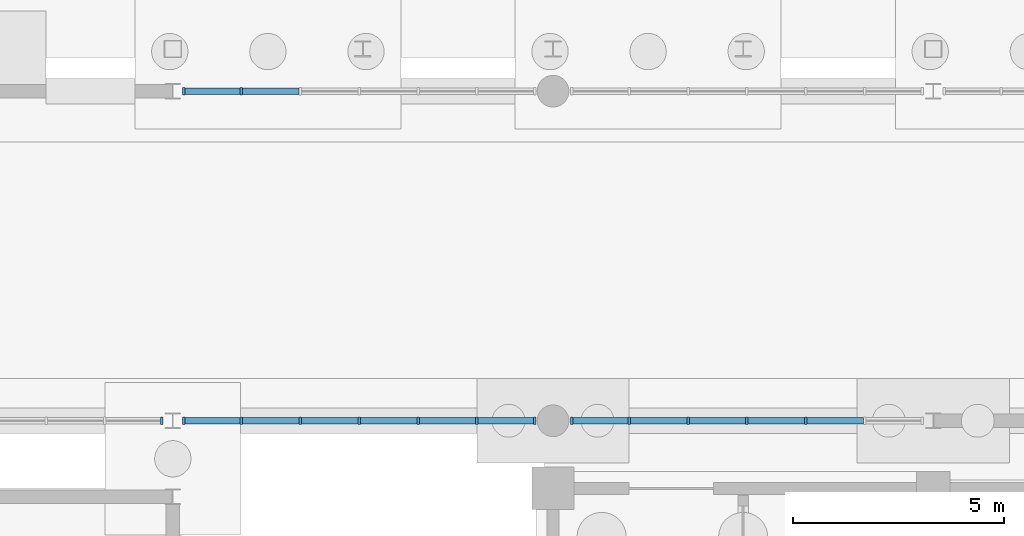
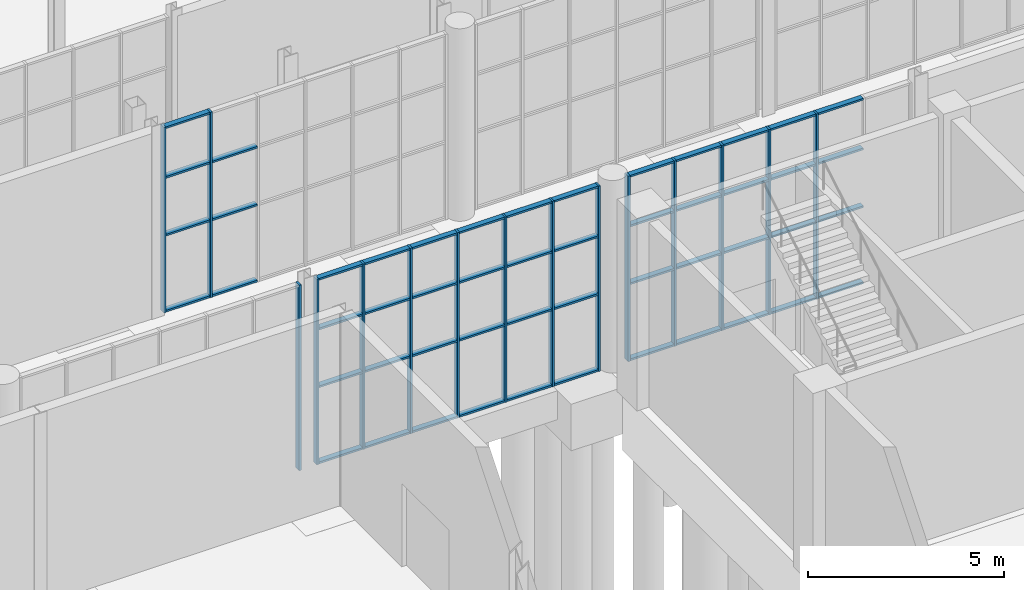
# One storey, part 44 of 131: 66 members, 4 elements without a shape of their own.
"""IFC4 building model written with IfcOpenShell, lengths in metres."""

import ifcopenshell
import ifcopenshell.guid

model = None  # the IFC model being written
_history = None  # IfcOwnerHistory: only IFC2X3 demands one
_inside = {}  # id of a spatial element -> (the spatial element, [elements in it])
_under = {}  # id of a project, library or spatial element -> (it, [spatial elements below it])
_declared = {}  # id of a project -> (the project, [libraries it declares])
_typed = {}  # id of a type object -> (the type object, [elements of that type])
_made_of = {}  # id of a material, layer set ... -> (it, [elements and type objects made of it])


def new_model(schema):
    """Start an empty IFC model of exactly this schema.

    Asked for "IFC4X3", IfcOpenShell would pick the latest addendum, in which some entities
    have other attributes; the version numbers below select the first issue.
    IFC2X3 requires an IfcOwnerHistory on every rooted entity: one is made here for all.
    """
    global model, _history
    if schema == "IFC4X3":
        model = ifcopenshell.file(schema_version=(4, 3, 0, 0))
    else:
        model = ifcopenshell.file(schema=schema)
    _inside.clear()
    _under.clear()
    _declared.clear()
    _typed.clear()
    _made_of.clear()
    _history = None
    if model.schema == "IFC2X3":
        org = make("IfcOrganization", Name="unknown")
        user = make(
            "IfcPersonAndOrganization",
            ThePerson=make("IfcPerson", FamilyName="unknown"),
            TheOrganization=org,
        )
        app = make(
            "IfcApplication",
            ApplicationDeveloper=org,
            Version="unknown",
            ApplicationFullName="unknown",
            ApplicationIdentifier="unknown",
        )
        _history = make(
            "IfcOwnerHistory",
            OwningUser=user,
            OwningApplication=app,
            ChangeAction="ADDED",
            CreationDate=0,
        )
    return model


def make(cls, **values):
    """One entity of the class cls with the attributes given. An attribute that is None is left unset."""
    return model.create_entity(
        cls, **{name: value for name, value in values.items() if value is not None}
    )


def rooted(cls, **values):
    """An entity with a GlobalId (a new one), such as an element, a storey or a relation."""
    return make(cls, GlobalId=ifcopenshell.guid.new(), OwnerHistory=_history, **values)


def si_unit(unit_type, name, prefix=None):
    """IfcSIUnit, for example si_unit("LENGTHUNIT", "METRE", prefix="MILLI")."""
    return make("IfcSIUnit", UnitType=unit_type, Prefix=prefix, Name=name)


def assignment(units):
    """IfcUnitAssignment: the units of a project."""
    return None if units is None else make("IfcUnitAssignment", Units=units)


def point(xyz):
    """IfcCartesianPoint."""
    return None if xyz is None else make("IfcCartesianPoint", Coordinates=xyz)


def direction(xyz):
    """IfcDirection."""
    return None if xyz is None else make("IfcDirection", DirectionRatios=xyz)


def frame(location, z_axis=None, x_axis=None):
    """IfcAxis2Placement3D, a coordinate frame: its origin and axes. An axis left out is left unset."""
    return make(
        "IfcAxis2Placement3D",
        Location=point(location),
        Axis=direction(z_axis),
        RefDirection=direction(x_axis),
    )


def frame_2d(location, x_axis=None):
    """IfcAxis2Placement2D, a coordinate frame in the plane: its origin and x axis."""
    return make(
        "IfcAxis2Placement2D", Location=point(location), RefDirection=direction(x_axis)
    )


def origin():
    """The frame at (0, 0, 0) with its axes left unset."""
    return frame((0.0, 0.0, 0.0))


def origin_2d():
    """The frame at (0, 0) in the plane with its x axis left unset."""
    return frame_2d((0.0, 0.0))


def place(relative_to, where):
    """IfcLocalPlacement: puts the frame where relative to a parent placement (None: the world)."""
    return make(
        "IfcLocalPlacement", PlacementRelTo=relative_to, RelativePlacement=where
    )


def context(
    kind, dimensions, precision=None, world=None, true_north=None, identifier=None
):
    """IfcGeometricRepresentationContext, for example the 3D "Model" context."""
    return make(
        "IfcGeometricRepresentationContext",
        ContextIdentifier=identifier,
        ContextType=kind,
        CoordinateSpaceDimension=dimensions,
        Precision=precision,
        WorldCoordinateSystem=world,
        TrueNorth=true_north,
    )


def subcontext(parent, identifier, kind, view, scale=None):
    """IfcGeometricRepresentationSubContext, for example "Body" below "Model"."""
    return make(
        "IfcGeometricRepresentationSubContext",
        ContextIdentifier=identifier,
        ContextType=kind,
        ParentContext=parent,
        TargetScale=scale,
        TargetView=view,
    )


def project(units=None, contexts=None):
    """IfcProject with its units and contexts."""
    return rooted(
        "IfcProject",
        Name="project",
        RepresentationContexts=contexts,
        UnitsInContext=assignment(units),
    )


def spatial(cls, under=None, at=None, **own):
    """A site, building, storey or space (cls), placed at a placement, below another one or the project."""
    s = rooted(cls, ObjectPlacement=at, **own)
    if under is not None:
        _under.setdefault(under.id(), (under, []))[1].append(s)
    return s


def profile(cls, at=None, kind="AREA", **sizes):
    """A parametric profile (cls). Its sizes go by their IFC names, for example OverallWidth=200.0."""
    return make(cls, ProfileType=kind, Position=at, **sizes)


def rectangle(**sizes):
    """IfcRectangleProfileDef."""
    return profile("IfcRectangleProfileDef", **sizes)


def extrude(swept, where, along, depth):
    """IfcExtrudedAreaSolid: the profile swept, set in the frame where, extruded along a direction by depth."""
    return make(
        "IfcExtrudedAreaSolid",
        SweptArea=swept,
        Position=where,
        ExtrudedDirection=direction(along),
        Depth=depth,
    )


def shape(context_of_items, identifier, shape_type, items):
    """IfcShapeRepresentation: the items that make up one representation, for example the "Body"."""
    return make(
        "IfcShapeRepresentation",
        ContextOfItems=context_of_items,
        RepresentationIdentifier=identifier,
        RepresentationType=shape_type,
        Items=items,
    )


def material(Name=None, Category=None):
    """IfcMaterial."""
    return make("IfcMaterial", Name=Name, Category=Category)


def layer(
    of_material, thickness, ventilated=None, Name=None, Category=None, Priority=None
):
    """IfcMaterialLayer: one layer of a wall or slab, of a material (None: an air gap)."""
    return make(
        "IfcMaterialLayer",
        Material=of_material,
        LayerThickness=thickness,
        IsVentilated=ventilated,
        Name=Name,
        Category=Category,
        Priority=Priority,
    )


def layer_set(layers, Name=None):
    """IfcMaterialLayerSet."""
    return make("IfcMaterialLayerSet", MaterialLayers=layers, LayerSetName=Name)


def material_profile(
    of_material, cross_section, Name=None, Category=None, Priority=None
):
    """IfcMaterialProfile: a cross section and its material."""
    return make(
        "IfcMaterialProfile",
        Name=Name,
        Material=of_material,
        Profile=cross_section,
        Priority=Priority,
        Category=Category,
    )


def profile_set(profiles, Name=None, composite=None):
    """IfcMaterialProfileSet."""
    return make(
        "IfcMaterialProfileSet",
        Name=Name,
        MaterialProfiles=profiles,
        CompositeProfile=composite,
    )


def made_of(thing, what):
    """Note that an element or type object is made of a material, layer set ...; save() writes the relation."""
    if what is not None:
        _made_of.setdefault(what.id(), (what, []))[1].append(thing)
    return thing


def type_object(cls, material=None, **own):
    """A type object (cls), such as IfcWallType, which elements share."""
    return made_of(rooted(cls, **own), material)


def element(
    cls,
    number,
    at=None,
    inside=None,
    cuts=None,
    type_object=None,
    material=None,
    context=None,
    identifier="Body",
    shape_type=None,
    held_by="IfcProductDefinitionShape",
    body=None,
    shapes=None,
    **own,
):
    """One element of the class cls, such as IfcWall. Its Tag is "e" and its number.

    at: its placement. inside: the storey or other place that contains it. cuts: it is an
    opening in that element (IfcRelVoidsElement). A single representation is given by context,
    identifier, shape_type and body (its items); several are given by shapes. held_by: the class
    of the entity that holds the representations. save() writes the other relations.
    """
    e = rooted(cls, Tag="e%d" % number, ObjectPlacement=at, **own)
    if body is not None:
        shapes = [shape(context, identifier, shape_type, body)]
    if shapes is not None:
        e.Representation = make(held_by, Representations=shapes)
    if inside is not None:
        _inside.setdefault(inside.id(), (inside, []))[1].append(e)
    if cuts is not None:
        rooted(
            "IfcRelVoidsElement", RelatingBuildingElement=cuts, RelatedOpeningElement=e
        )
    if type_object is not None:
        _typed.setdefault(type_object.id(), (type_object, []))[1].append(e)
    return made_of(e, material)


def aggregate(whole, parts):
    """IfcRelAggregates: a whole, such as a stair, and the parts it consists of."""
    return rooted("IfcRelAggregates", RelatingObject=whole, RelatedObjects=parts)


def save(model, path):
    """Write the relations noted so far, then the file.

    IfcRelAggregates (storeys below a building ...), IfcRelContainedInSpatialStructure (elements
    in a storey), IfcRelDefinesByType, IfcRelAssociatesMaterial and IfcRelDeclares: one each for
    every whole, place, type object, material and project.
    """
    for whole, parts in _under.values():
        aggregate(whole, parts)
    for where, things in _inside.values():
        rooted(
            "IfcRelContainedInSpatialStructure",
            RelatedElements=things,
            RelatingStructure=where,
        )
    for kind, things in _typed.values():
        rooted("IfcRelDefinesByType", RelatedObjects=things, RelatingType=kind)
    for what, things in _made_of.values():
        rooted("IfcRelAssociatesMaterial", RelatedObjects=things, RelatingMaterial=what)
    for by, libraries in _declared.values():
        rooted("IfcRelDeclares", RelatingContext=by, RelatedDefinitions=libraries)
    model.write(path)


model = new_model("IFC4")

# Units and contexts
model_context = context("Model", 3, precision=1e-05, world=origin(), true_north=direction((0.0, 1.0)))
body_context = subcontext(model_context, "Body", "Model", "MODEL_VIEW")
ifc_project = project(units=[si_unit("LENGTHUNIT", "METRE"), si_unit("AREAUNIT", "SQUARE_METRE"), si_unit("VOLUMEUNIT", "CUBIC_METRE"), si_unit("PLANEANGLEUNIT", "RADIAN"), si_unit("MASSUNIT", "GRAM", prefix="KILO")], contexts=[model_context])

# Site, building, storey
site_placement = place(None, origin())
site = spatial("IfcSite", under=ifc_project, at=site_placement, CompositionType="ELEMENT")
building_placement = place(site_placement, origin())
building = spatial("IfcBuilding", under=site, at=building_placement, Name="Cazmaro Siding Exhibition Halls", CompositionType="ELEMENT")
storey_placement = place(building_placement, origin())
storey = spatial("IfcBuildingStorey", under=building, at=storey_placement, Name="L00", CompositionType="ELEMENT", Elevation=0.0)

# Curtain wall, member
ifc_material_1 = material(Name="Anodized Bronze Aluminum and Solar-Control Low-E Glazing", Category="aluminium")
ifc_layer = layer(ifc_material_1, 0.179931640625)
ifc_layer_set = layer_set([ifc_layer], Name="Anodized Bronze Aluminum and Solar-Control Low-E Glazing")
curtain_wall_type = type_object("IfcCurtainWallType", Name="CWS-01", PredefinedType="USERDEFINED", material=ifc_layer_set)
curtain_wall_1_placement = place(storey_placement, origin())
curtain_wall_1 = element("IfcCurtainWall", 1, at=curtain_wall_1_placement, inside=storey, type_object=curtain_wall_type, Name="Glazed Curtain Wall CWS-01 CW-150", ObjectType="GLAZED CURTAIN WALL", PredefinedType="USERDEFINED")
ifc_material_2 = material(Name="Anodized Bronze Extruded Aluminum", Category="aluminium")
ifc_material_profile_1 = material_profile(ifc_material_2, rectangle(XDim=0.179931640625, YDim=0.06005859375, at=origin_2d()), Name="CWM-01")
ifc_profile_set_1 = profile_set([ifc_material_profile_1], Name="Anodized Bronze Extruded Aluminum")
member_type_1 = type_object("IfcMemberType", Name="CWM-01", PredefinedType="MULLION", material=ifc_profile_set_1)
member_1_placement = place(storey_placement, frame((62.739990234375, 55.199951171875, 0.0), z_axis=(0.0, 0.0, 1.0), x_axis=(0.0, 1.0, 0.0)))
member_1 = element("IfcMember", 2, at=member_1_placement, type_object=member_type_1, Name="CWS-01 mullion 7", PredefinedType="MULLION", context=body_context, shape_type="SweptSolid", body=[
    extrude(rectangle(XDim=0.179931640625, YDim=0.06005859375, at=origin_2d()), origin(), (0.0, 0.0, 1.0), 5.780029296875),
])
aggregate(curtain_wall_1, [member_1])

# Curtain wall, members
curtain_wall_2_placement = place(storey_placement, origin())
curtain_wall_2 = element("IfcCurtainWall", 3, at=curtain_wall_2_placement, inside=storey, type_object=curtain_wall_type, Name="Glazed Curtain Wall CWS-01 CW-155", ObjectType="GLAZED CURTAIN WALL", PredefinedType="USERDEFINED")
member_2_placement = place(storey_placement, frame((63.260009765625, 55.199951171875, 0.0), z_axis=(0.0, 0.0, 1.0), x_axis=(0.0, 1.0, 0.0)))
member_2 = element("IfcMember", 4, at=member_2_placement, type_object=member_type_1, Name="CWS-01 mullion 1", PredefinedType="MULLION", context=body_context, shape_type="SweptSolid", body=[
    extrude(rectangle(XDim=0.179931640625, YDim=0.06005859375, at=origin_2d()), origin(), (0.0, 0.0, 1.0), 5.780029296875),
])
member_3_placement = place(storey_placement, frame((64.623779296875, 55.199951171875, 0.0), z_axis=(0.0, 0.0, 1.0), x_axis=(0.0, 1.0, 0.0)))
member_3 = element("IfcMember", 5, at=member_3_placement, type_object=member_type_1, Name="CWS-01 mullion 2", PredefinedType="MULLION", context=body_context, shape_type="SweptSolid", body=[
    extrude(rectangle(XDim=0.179931640625, YDim=0.06005859375, at=origin_2d()), origin(), (0.0, 0.0, 1.0), 5.780029296875),
])
member_4_placement = place(storey_placement, frame((66.017333984375, 55.199951171875, 0.0), z_axis=(0.0, 0.0, 1.0), x_axis=(0.0, 1.0, 0.0)))
member_4 = element("IfcMember", 6, at=member_4_placement, type_object=member_type_1, Name="CWS-01 mullion 3", PredefinedType="MULLION", context=body_context, shape_type="SweptSolid", body=[
    extrude(rectangle(XDim=0.179931640625, YDim=0.06005859375, at=origin_2d()), origin(), (0.0, 0.0, 1.0), 5.780029296875),
])
member_5_placement = place(storey_placement, frame((67.410888671875, 55.199951171875, 0.0), z_axis=(0.0, 0.0, 1.0), x_axis=(0.0, 1.0, 0.0)))
member_5 = element("IfcMember", 7, at=member_5_placement, type_object=member_type_1, Name="CWS-01 mullion 4", PredefinedType="MULLION", context=body_context, shape_type="SweptSolid", body=[
    extrude(rectangle(XDim=0.179931640625, YDim=0.06005859375, at=origin_2d()), origin(), (0.0, 0.0, 1.0), 5.780029296875),
])
member_6_placement = place(storey_placement, frame((68.8046875, 55.199951171875, 0.0), z_axis=(0.0, 0.0, 1.0), x_axis=(0.0, 1.0, 0.0)))
member_6 = element("IfcMember", 8, at=member_6_placement, type_object=member_type_1, Name="CWS-01 mullion 5", PredefinedType="MULLION", context=body_context, shape_type="SweptSolid", body=[
    extrude(rectangle(XDim=0.179931640625, YDim=0.06005859375, at=origin_2d()), origin(), (0.0, 0.0, 1.0), 5.780029296875),
])
member_7_placement = place(storey_placement, frame((70.1982421875, 55.199951171875, 0.0), z_axis=(0.0, 0.0, 1.0), x_axis=(0.0, 1.0, 0.0)))
member_7 = element("IfcMember", 9, at=member_7_placement, type_object=member_type_1, Name="CWS-01 mullion 6", PredefinedType="MULLION", context=body_context, shape_type="SweptSolid", body=[
    extrude(rectangle(XDim=0.179931640625, YDim=0.06005859375, at=origin_2d()), origin(), (0.0, 0.0, 1.0), 5.780029296875),
])
member_8_placement = place(storey_placement, frame((71.56201171875, 55.199951171875, 0.0), z_axis=(0.0, 0.0, 1.0), x_axis=(0.0, 1.0, 0.0)))
member_8 = element("IfcMember", 10, at=member_8_placement, type_object=member_type_1, Name="CWS-01 mullion 7", PredefinedType="MULLION", context=body_context, shape_type="SweptSolid", body=[
    extrude(rectangle(XDim=0.179931640625, YDim=0.06005859375, at=origin_2d()), origin(), (0.0, 0.0, 1.0), 5.780029296875),
])

curtain_wall_3_placement = place(storey_placement, origin())
curtain_wall_3 = element("IfcCurtainWall", 11, at=curtain_wall_3_placement, inside=storey, type_object=curtain_wall_type, Name="Glazed Curtain Wall CWS-01 CW-156", ObjectType="GLAZED CURTAIN WALL", PredefinedType="USERDEFINED")
member_9_placement = place(storey_placement, frame((64.623779296875, 63.0, 0.0), z_axis=(0.0, 0.0, 1.0), x_axis=(0.0, -1.0, 0.0)))
member_9 = element("IfcMember", 12, at=member_9_placement, type_object=member_type_1, Name="CWS-01 mullion 6", PredefinedType="MULLION", context=body_context, shape_type="SweptSolid", body=[
    extrude(rectangle(XDim=0.179931640625, YDim=0.06005859375, at=origin_2d()), origin(), (0.0, 0.0, 1.0), 5.780029296875),
])
member_10_placement = place(storey_placement, frame((63.260009765625, 63.0, 0.0), z_axis=(0.0, 0.0, 1.0), x_axis=(0.0, -1.0, 0.0)))
member_10 = element("IfcMember", 13, at=member_10_placement, type_object=member_type_1, Name="CWS-01 mullion 7", PredefinedType="MULLION", context=body_context, shape_type="SweptSolid", body=[
    extrude(rectangle(XDim=0.179931640625, YDim=0.06005859375, at=origin_2d()), origin(), (0.0, 0.0, 1.0), 5.780029296875),
])

curtain_wall_4_placement = place(storey_placement, origin())
curtain_wall_4 = element("IfcCurtainWall", 14, at=curtain_wall_4_placement, inside=storey, type_object=curtain_wall_type, Name="Glazed Curtain Wall CWS-01 CW-161", ObjectType="GLAZED CURTAIN WALL", PredefinedType="USERDEFINED")
member_11_placement = place(storey_placement, frame((72.43798828125, 55.199951171875, 0.0), z_axis=(0.0, 0.0, 1.0), x_axis=(0.0, 1.0, 0.0)))
member_11 = element("IfcMember", 15, at=member_11_placement, type_object=member_type_1, Name="CWS-01 mullion 1", PredefinedType="MULLION", context=body_context, shape_type="SweptSolid", body=[
    extrude(rectangle(XDim=0.179931640625, YDim=0.06005859375, at=origin_2d()), origin(), (0.0, 0.0, 1.0), 5.780029296875),
])
member_12_placement = place(storey_placement, frame((73.8017578125, 55.199951171875, 0.0), z_axis=(0.0, 0.0, 1.0), x_axis=(0.0, 1.0, 0.0)))
member_12 = element("IfcMember", 16, at=member_12_placement, type_object=member_type_1, Name="CWS-01 mullion 2", PredefinedType="MULLION", context=body_context, shape_type="SweptSolid", body=[
    extrude(rectangle(XDim=0.179931640625, YDim=0.06005859375, at=origin_2d()), origin(), (0.0, 0.0, 1.0), 5.780029296875),
])
member_13_placement = place(storey_placement, frame((75.1953125, 55.199951171875, 0.0), z_axis=(0.0, 0.0, 1.0), x_axis=(0.0, 1.0, 0.0)))
member_13 = element("IfcMember", 17, at=member_13_placement, type_object=member_type_1, Name="CWS-01 mullion 3", PredefinedType="MULLION", context=body_context, shape_type="SweptSolid", body=[
    extrude(rectangle(XDim=0.179931640625, YDim=0.06005859375, at=origin_2d()), origin(), (0.0, 0.0, 1.0), 5.780029296875),
])
member_14_placement = place(storey_placement, frame((76.589111328125, 55.199951171875, 0.0), z_axis=(0.0, 0.0, 1.0), x_axis=(0.0, 1.0, 0.0)))
member_14 = element("IfcMember", 18, at=member_14_placement, type_object=member_type_1, Name="CWS-01 mullion 4", PredefinedType="MULLION", context=body_context, shape_type="SweptSolid", body=[
    extrude(rectangle(XDim=0.179931640625, YDim=0.06005859375, at=origin_2d()), origin(), (0.0, 0.0, 1.0), 5.780029296875),
])
member_15_placement = place(storey_placement, frame((77.982666015625, 55.199951171875, 0.0), z_axis=(0.0, 0.0, 1.0), x_axis=(0.0, 1.0, 0.0)))
member_15 = element("IfcMember", 19, at=member_15_placement, type_object=member_type_1, Name="CWS-01 mullion 5", PredefinedType="MULLION", context=body_context, shape_type="SweptSolid", body=[
    extrude(rectangle(XDim=0.179931640625, YDim=0.06005859375, at=origin_2d()), origin(), (0.0, 0.0, 1.0), 5.780029296875),
])

# Member
ifc_material_3 = material(Name="Anodized Bronze Extruded Aluminum", Category="aluminium")
ifc_material_profile_2 = material_profile(ifc_material_3, rectangle(XDim=0.159912109375, YDim=0.06005859375, at=origin_2d()), Name="CWT-01")
ifc_profile_set_2 = profile_set([ifc_material_profile_2], Name="Anodized Bronze Extruded Aluminum")
member_type_2 = type_object("IfcMemberType", Name="CWT-01", PredefinedType="MULLION", material=ifc_profile_set_2)
member_16_placement = place(storey_placement, frame((63.2900390625, 55.199951171875, 0.030029296875), z_axis=(1.0, 0.0, 0.0), x_axis=(0.0, 1.0, 0.0)))
member_16 = element("IfcMember", 20, at=member_16_placement, type_object=member_type_2, Name="CWS-01 transom 1.1", ObjectType="TRANSOM", PredefinedType="USERDEFINED", context=body_context, shape_type="SweptSolid", body=[
    extrude(rectangle(XDim=0.159912109375, YDim=0.06005859375, at=origin_2d()), origin(), (0.0, 0.0, 1.0), 1.3037109375),
])

member_17_placement = place(storey_placement, frame((63.2900390625, 55.199951171875, 2.39990234375), z_axis=(1.0, 0.0, 0.0), x_axis=(0.0, 1.0, 0.0)))
member_17 = element("IfcMember", 21, at=member_17_placement, type_object=member_type_2, Name="CWS-01 transom 1.2", ObjectType="TRANSOM", PredefinedType="USERDEFINED", context=body_context, shape_type="SweptSolid", body=[
    extrude(rectangle(XDim=0.159912109375, YDim=0.06005859375, at=origin_2d()), origin(), (0.0, 0.0, 1.0), 1.3037109375),
])

member_18_placement = place(storey_placement, frame((63.2900390625, 55.199951171875, 4.199951171875), z_axis=(1.0, 0.0, 0.0), x_axis=(0.0, 1.0, 0.0)))
member_18 = element("IfcMember", 22, at=member_18_placement, type_object=member_type_2, Name="CWS-01 transom 1.3", ObjectType="TRANSOM", PredefinedType="USERDEFINED", context=body_context, shape_type="SweptSolid", body=[
    extrude(rectangle(XDim=0.159912109375, YDim=0.06005859375, at=origin_2d()), origin(), (0.0, 0.0, 1.0), 1.3037109375),
])

member_19_placement = place(storey_placement, frame((63.2900390625, 55.199951171875, 5.75), z_axis=(1.0, 0.0, 0.0), x_axis=(0.0, 1.0, 0.0)))
member_19 = element("IfcMember", 23, at=member_19_placement, type_object=member_type_2, Name="CWS-01 transom 1.4", ObjectType="TRANSOM", PredefinedType="USERDEFINED", context=body_context, shape_type="SweptSolid", body=[
    extrude(rectangle(XDim=0.159912109375, YDim=0.06005859375, at=origin_2d()), origin(), (0.0, 0.0, 1.0), 1.3037109375),
])

member_20_placement = place(storey_placement, frame((64.653564453125, 55.199951171875, 0.030029296875), z_axis=(1.0, 0.0, 0.0), x_axis=(0.0, 1.0, 0.0)))
member_20 = element("IfcMember", 24, at=member_20_placement, type_object=member_type_2, Name="CWS-01 transom 2.1", ObjectType="TRANSOM", PredefinedType="USERDEFINED", context=body_context, shape_type="SweptSolid", body=[
    extrude(rectangle(XDim=0.159912109375, YDim=0.06005859375, at=origin_2d()), origin(), (0.0, 0.0, 1.0), 1.333740234375),
])

member_21_placement = place(storey_placement, frame((64.653564453125, 55.199951171875, 2.39990234375), z_axis=(1.0, 0.0, 0.0), x_axis=(0.0, 1.0, 0.0)))
member_21 = element("IfcMember", 25, at=member_21_placement, type_object=member_type_2, Name="CWS-01 transom 2.2", ObjectType="TRANSOM", PredefinedType="USERDEFINED", context=body_context, shape_type="SweptSolid", body=[
    extrude(rectangle(XDim=0.159912109375, YDim=0.06005859375, at=origin_2d()), origin(), (0.0, 0.0, 1.0), 1.333740234375),
])

member_22_placement = place(storey_placement, frame((64.653564453125, 55.199951171875, 4.199951171875), z_axis=(1.0, 0.0, 0.0), x_axis=(0.0, 1.0, 0.0)))
member_22 = element("IfcMember", 26, at=member_22_placement, type_object=member_type_2, Name="CWS-01 transom 2.3", ObjectType="TRANSOM", PredefinedType="USERDEFINED", context=body_context, shape_type="SweptSolid", body=[
    extrude(rectangle(XDim=0.159912109375, YDim=0.06005859375, at=origin_2d()), origin(), (0.0, 0.0, 1.0), 1.333740234375),
])

member_23_placement = place(storey_placement, frame((64.653564453125, 55.199951171875, 5.75), z_axis=(1.0, 0.0, 0.0), x_axis=(0.0, 1.0, 0.0)))
member_23 = element("IfcMember", 27, at=member_23_placement, type_object=member_type_2, Name="CWS-01 transom 2.4", ObjectType="TRANSOM", PredefinedType="USERDEFINED", context=body_context, shape_type="SweptSolid", body=[
    extrude(rectangle(XDim=0.159912109375, YDim=0.06005859375, at=origin_2d()), origin(), (0.0, 0.0, 1.0), 1.333740234375),
])

member_24_placement = place(storey_placement, frame((66.04736328125, 55.199951171875, 0.030029296875), z_axis=(1.0, 0.0, 0.0), x_axis=(0.0, 1.0, 0.0)))
member_24 = element("IfcMember", 28, at=member_24_placement, type_object=member_type_2, Name="CWS-01 transom 3.1", ObjectType="TRANSOM", PredefinedType="USERDEFINED", context=body_context, shape_type="SweptSolid", body=[
    extrude(rectangle(XDim=0.159912109375, YDim=0.06005859375, at=origin_2d()), origin(), (0.0, 0.0, 1.0), 1.333740234375),
])

member_25_placement = place(storey_placement, frame((66.04736328125, 55.199951171875, 2.39990234375), z_axis=(1.0, 0.0, 0.0), x_axis=(0.0, 1.0, 0.0)))
member_25 = element("IfcMember", 29, at=member_25_placement, type_object=member_type_2, Name="CWS-01 transom 3.2", ObjectType="TRANSOM", PredefinedType="USERDEFINED", context=body_context, shape_type="SweptSolid", body=[
    extrude(rectangle(XDim=0.159912109375, YDim=0.06005859375, at=origin_2d()), origin(), (0.0, 0.0, 1.0), 1.333740234375),
])

member_26_placement = place(storey_placement, frame((66.04736328125, 55.199951171875, 4.199951171875), z_axis=(1.0, 0.0, 0.0), x_axis=(0.0, 1.0, 0.0)))
member_26 = element("IfcMember", 30, at=member_26_placement, type_object=member_type_2, Name="CWS-01 transom 3.3", ObjectType="TRANSOM", PredefinedType="USERDEFINED", context=body_context, shape_type="SweptSolid", body=[
    extrude(rectangle(XDim=0.159912109375, YDim=0.06005859375, at=origin_2d()), origin(), (0.0, 0.0, 1.0), 1.333740234375),
])

member_27_placement = place(storey_placement, frame((66.04736328125, 55.199951171875, 5.75), z_axis=(1.0, 0.0, 0.0), x_axis=(0.0, 1.0, 0.0)))
member_27 = element("IfcMember", 31, at=member_27_placement, type_object=member_type_2, Name="CWS-01 transom 3.4", ObjectType="TRANSOM", PredefinedType="USERDEFINED", context=body_context, shape_type="SweptSolid", body=[
    extrude(rectangle(XDim=0.159912109375, YDim=0.06005859375, at=origin_2d()), origin(), (0.0, 0.0, 1.0), 1.333740234375),
])

member_28_placement = place(storey_placement, frame((67.44091796875, 55.199951171875, 0.030029296875), z_axis=(1.0, 0.0, 0.0), x_axis=(0.0, 1.0, 0.0)))
member_28 = element("IfcMember", 32, at=member_28_placement, type_object=member_type_2, Name="CWS-01 transom 4.1", ObjectType="TRANSOM", PredefinedType="USERDEFINED", context=body_context, shape_type="SweptSolid", body=[
    extrude(rectangle(XDim=0.159912109375, YDim=0.06005859375, at=origin_2d()), origin(), (0.0, 0.0, 1.0), 1.333740234375),
])

member_29_placement = place(storey_placement, frame((67.44091796875, 55.199951171875, 2.39990234375), z_axis=(1.0, 0.0, 0.0), x_axis=(0.0, 1.0, 0.0)))
member_29 = element("IfcMember", 33, at=member_29_placement, type_object=member_type_2, Name="CWS-01 transom 4.2", ObjectType="TRANSOM", PredefinedType="USERDEFINED", context=body_context, shape_type="SweptSolid", body=[
    extrude(rectangle(XDim=0.159912109375, YDim=0.06005859375, at=origin_2d()), origin(), (0.0, 0.0, 1.0), 1.333740234375),
])

member_30_placement = place(storey_placement, frame((67.44091796875, 55.199951171875, 4.199951171875), z_axis=(1.0, 0.0, 0.0), x_axis=(0.0, 1.0, 0.0)))
member_30 = element("IfcMember", 34, at=member_30_placement, type_object=member_type_2, Name="CWS-01 transom 4.3", ObjectType="TRANSOM", PredefinedType="USERDEFINED", context=body_context, shape_type="SweptSolid", body=[
    extrude(rectangle(XDim=0.159912109375, YDim=0.06005859375, at=origin_2d()), origin(), (0.0, 0.0, 1.0), 1.333740234375),
])

member_31_placement = place(storey_placement, frame((67.44091796875, 55.199951171875, 5.75), z_axis=(1.0, 0.0, 0.0), x_axis=(0.0, 1.0, 0.0)))
member_31 = element("IfcMember", 35, at=member_31_placement, type_object=member_type_2, Name="CWS-01 transom 4.4", ObjectType="TRANSOM", PredefinedType="USERDEFINED", context=body_context, shape_type="SweptSolid", body=[
    extrude(rectangle(XDim=0.159912109375, YDim=0.06005859375, at=origin_2d()), origin(), (0.0, 0.0, 1.0), 1.333740234375),
])

member_32_placement = place(storey_placement, frame((68.834716796875, 55.199951171875, 0.030029296875), z_axis=(1.0, 0.0, 0.0), x_axis=(0.0, 1.0, 0.0)))
member_32 = element("IfcMember", 36, at=member_32_placement, type_object=member_type_2, Name="CWS-01 transom 5.1", ObjectType="TRANSOM", PredefinedType="USERDEFINED", context=body_context, shape_type="SweptSolid", body=[
    extrude(rectangle(XDim=0.159912109375, YDim=0.06005859375, at=origin_2d()), origin(), (0.0, 0.0, 1.0), 1.33349609375),
])

member_33_placement = place(storey_placement, frame((68.834716796875, 55.199951171875, 2.39990234375), z_axis=(1.0, 0.0, 0.0), x_axis=(0.0, 1.0, 0.0)))
member_33 = element("IfcMember", 37, at=member_33_placement, type_object=member_type_2, Name="CWS-01 transom 5.2", ObjectType="TRANSOM", PredefinedType="USERDEFINED", context=body_context, shape_type="SweptSolid", body=[
    extrude(rectangle(XDim=0.159912109375, YDim=0.06005859375, at=origin_2d()), origin(), (0.0, 0.0, 1.0), 1.33349609375),
])

member_34_placement = place(storey_placement, frame((68.834716796875, 55.199951171875, 4.199951171875), z_axis=(1.0, 0.0, 0.0), x_axis=(0.0, 1.0, 0.0)))
member_34 = element("IfcMember", 38, at=member_34_placement, type_object=member_type_2, Name="CWS-01 transom 5.3", ObjectType="TRANSOM", PredefinedType="USERDEFINED", context=body_context, shape_type="SweptSolid", body=[
    extrude(rectangle(XDim=0.159912109375, YDim=0.06005859375, at=origin_2d()), origin(), (0.0, 0.0, 1.0), 1.33349609375),
])

member_35_placement = place(storey_placement, frame((68.834716796875, 55.199951171875, 5.75), z_axis=(1.0, 0.0, 0.0), x_axis=(0.0, 1.0, 0.0)))
member_35 = element("IfcMember", 39, at=member_35_placement, type_object=member_type_2, Name="CWS-01 transom 5.4", ObjectType="TRANSOM", PredefinedType="USERDEFINED", context=body_context, shape_type="SweptSolid", body=[
    extrude(rectangle(XDim=0.159912109375, YDim=0.06005859375, at=origin_2d()), origin(), (0.0, 0.0, 1.0), 1.33349609375),
])

member_36_placement = place(storey_placement, frame((70.228271484375, 55.199951171875, 0.030029296875), z_axis=(1.0, 0.0, 0.0), x_axis=(0.0, 1.0, 0.0)))
member_36 = element("IfcMember", 40, at=member_36_placement, type_object=member_type_2, Name="CWS-01 transom 6.1", ObjectType="TRANSOM", PredefinedType="USERDEFINED", context=body_context, shape_type="SweptSolid", body=[
    extrude(rectangle(XDim=0.159912109375, YDim=0.06005859375, at=origin_2d()), origin(), (0.0, 0.0, 1.0), 1.3037109375),
])

member_37_placement = place(storey_placement, frame((70.228271484375, 55.199951171875, 2.39990234375), z_axis=(1.0, 0.0, 0.0), x_axis=(0.0, 1.0, 0.0)))
member_37 = element("IfcMember", 41, at=member_37_placement, type_object=member_type_2, Name="CWS-01 transom 6.2", ObjectType="TRANSOM", PredefinedType="USERDEFINED", context=body_context, shape_type="SweptSolid", body=[
    extrude(rectangle(XDim=0.159912109375, YDim=0.06005859375, at=origin_2d()), origin(), (0.0, 0.0, 1.0), 1.3037109375),
])

member_38_placement = place(storey_placement, frame((70.228271484375, 55.199951171875, 4.199951171875), z_axis=(1.0, 0.0, 0.0), x_axis=(0.0, 1.0, 0.0)))
member_38 = element("IfcMember", 42, at=member_38_placement, type_object=member_type_2, Name="CWS-01 transom 6.3", ObjectType="TRANSOM", PredefinedType="USERDEFINED", context=body_context, shape_type="SweptSolid", body=[
    extrude(rectangle(XDim=0.159912109375, YDim=0.06005859375, at=origin_2d()), origin(), (0.0, 0.0, 1.0), 1.3037109375),
])

member_39_placement = place(storey_placement, frame((70.228271484375, 55.199951171875, 5.75), z_axis=(1.0, 0.0, 0.0), x_axis=(0.0, 1.0, 0.0)))
member_39 = element("IfcMember", 43, at=member_39_placement, type_object=member_type_2, Name="CWS-01 transom 6.4", ObjectType="TRANSOM", PredefinedType="USERDEFINED", context=body_context, shape_type="SweptSolid", body=[
    extrude(rectangle(XDim=0.159912109375, YDim=0.06005859375, at=origin_2d()), origin(), (0.0, 0.0, 1.0), 1.3037109375),
])

aggregate(curtain_wall_2, [member_2, member_3, member_4, member_5, member_6, member_7, member_8, member_16, member_17, member_18, member_19, member_20, member_21, member_22, member_23, member_24, member_25, member_26, member_27, member_28, member_29, member_30, member_31, member_32, member_33, member_34, member_35, member_36, member_37, member_38, member_39])

member_40_placement = place(storey_placement, frame((65.9873046875, 63.0, 0.030029296875), z_axis=(-1.0, 0.0, 0.0), x_axis=(0.0, -1.0, 0.0)))
member_40 = element("IfcMember", 44, at=member_40_placement, type_object=member_type_2, Name="CWS-01 transom 5.1", ObjectType="TRANSOM", PredefinedType="USERDEFINED", context=body_context, shape_type="SweptSolid", body=[
    extrude(rectangle(XDim=0.159912109375, YDim=0.06005859375, at=origin_2d()), origin(), (0.0, 0.0, 1.0), 1.333740234375),
])

member_41_placement = place(storey_placement, frame((65.9873046875, 63.0, 2.39990234375), z_axis=(-1.0, 0.0, 0.0), x_axis=(0.0, -1.0, 0.0)))
member_41 = element("IfcMember", 45, at=member_41_placement, type_object=member_type_2, Name="CWS-01 transom 5.2", ObjectType="TRANSOM", PredefinedType="USERDEFINED", context=body_context, shape_type="SweptSolid", body=[
    extrude(rectangle(XDim=0.159912109375, YDim=0.06005859375, at=origin_2d()), origin(), (0.0, 0.0, 1.0), 1.333740234375),
])

member_42_placement = place(storey_placement, frame((65.9873046875, 63.0, 4.199951171875), z_axis=(-1.0, 0.0, 0.0), x_axis=(0.0, -1.0, 0.0)))
member_42 = element("IfcMember", 46, at=member_42_placement, type_object=member_type_2, Name="CWS-01 transom 5.3", ObjectType="TRANSOM", PredefinedType="USERDEFINED", context=body_context, shape_type="SweptSolid", body=[
    extrude(rectangle(XDim=0.159912109375, YDim=0.06005859375, at=origin_2d()), origin(), (0.0, 0.0, 1.0), 1.333740234375),
])

member_43_placement = place(storey_placement, frame((64.59375, 63.0, 0.030029296875), z_axis=(-1.0, 0.0, 0.0), x_axis=(0.0, -1.0, 0.0)))
member_43 = element("IfcMember", 47, at=member_43_placement, type_object=member_type_2, Name="CWS-01 transom 6.1", ObjectType="TRANSOM", PredefinedType="USERDEFINED", context=body_context, shape_type="SweptSolid", body=[
    extrude(rectangle(XDim=0.159912109375, YDim=0.06005859375, at=origin_2d()), origin(), (0.0, 0.0, 1.0), 1.3037109375),
])

member_44_placement = place(storey_placement, frame((64.59375, 63.0, 2.39990234375), z_axis=(-1.0, 0.0, 0.0), x_axis=(0.0, -1.0, 0.0)))
member_44 = element("IfcMember", 48, at=member_44_placement, type_object=member_type_2, Name="CWS-01 transom 6.2", ObjectType="TRANSOM", PredefinedType="USERDEFINED", context=body_context, shape_type="SweptSolid", body=[
    extrude(rectangle(XDim=0.159912109375, YDim=0.06005859375, at=origin_2d()), origin(), (0.0, 0.0, 1.0), 1.3037109375),
])

member_45_placement = place(storey_placement, frame((64.59375, 63.0, 4.199951171875), z_axis=(-1.0, 0.0, 0.0), x_axis=(0.0, -1.0, 0.0)))
member_45 = element("IfcMember", 49, at=member_45_placement, type_object=member_type_2, Name="CWS-01 transom 6.3", ObjectType="TRANSOM", PredefinedType="USERDEFINED", context=body_context, shape_type="SweptSolid", body=[
    extrude(rectangle(XDim=0.159912109375, YDim=0.06005859375, at=origin_2d()), origin(), (0.0, 0.0, 1.0), 1.3037109375),
])

member_46_placement = place(storey_placement, frame((64.59375, 63.0, 5.75), z_axis=(-1.0, 0.0, 0.0), x_axis=(0.0, -1.0, 0.0)))
member_46 = element("IfcMember", 50, at=member_46_placement, type_object=member_type_2, Name="CWS-01 transom 6.4", ObjectType="TRANSOM", PredefinedType="USERDEFINED", context=body_context, shape_type="SweptSolid", body=[
    extrude(rectangle(XDim=0.159912109375, YDim=0.06005859375, at=origin_2d()), origin(), (0.0, 0.0, 1.0), 1.3037109375),
])

aggregate(curtain_wall_3, [member_9, member_10, member_40, member_41, member_42, member_43, member_44, member_45, member_46])

member_47_placement = place(storey_placement, frame((72.468017578125, 55.199951171875, 0.030029296875), z_axis=(1.0, 0.0, 0.0), x_axis=(0.0, 1.0, 0.0)))
member_47 = element("IfcMember", 51, at=member_47_placement, type_object=member_type_2, Name="CWS-01 transom 1.1", ObjectType="TRANSOM", PredefinedType="USERDEFINED", context=body_context, shape_type="SweptSolid", body=[
    extrude(rectangle(XDim=0.159912109375, YDim=0.06005859375, at=origin_2d()), origin(), (0.0, 0.0, 1.0), 1.3037109375),
])

member_48_placement = place(storey_placement, frame((72.468017578125, 55.199951171875, 2.39990234375), z_axis=(1.0, 0.0, 0.0), x_axis=(0.0, 1.0, 0.0)))
member_48 = element("IfcMember", 52, at=member_48_placement, type_object=member_type_2, Name="CWS-01 transom 1.2", ObjectType="TRANSOM", PredefinedType="USERDEFINED", context=body_context, shape_type="SweptSolid", body=[
    extrude(rectangle(XDim=0.159912109375, YDim=0.06005859375, at=origin_2d()), origin(), (0.0, 0.0, 1.0), 1.3037109375),
])

member_49_placement = place(storey_placement, frame((72.468017578125, 55.199951171875, 4.199951171875), z_axis=(1.0, 0.0, 0.0), x_axis=(0.0, 1.0, 0.0)))
member_49 = element("IfcMember", 53, at=member_49_placement, type_object=member_type_2, Name="CWS-01 transom 1.3", ObjectType="TRANSOM", PredefinedType="USERDEFINED", context=body_context, shape_type="SweptSolid", body=[
    extrude(rectangle(XDim=0.159912109375, YDim=0.06005859375, at=origin_2d()), origin(), (0.0, 0.0, 1.0), 1.3037109375),
])

member_50_placement = place(storey_placement, frame((72.468017578125, 55.199951171875, 5.75), z_axis=(1.0, 0.0, 0.0), x_axis=(0.0, 1.0, 0.0)))
member_50 = element("IfcMember", 54, at=member_50_placement, type_object=member_type_2, Name="CWS-01 transom 1.4", ObjectType="TRANSOM", PredefinedType="USERDEFINED", context=body_context, shape_type="SweptSolid", body=[
    extrude(rectangle(XDim=0.159912109375, YDim=0.06005859375, at=origin_2d()), origin(), (0.0, 0.0, 1.0), 1.3037109375),
])

member_51_placement = place(storey_placement, frame((73.831787109375, 55.199951171875, 0.030029296875), z_axis=(1.0, 0.0, 0.0), x_axis=(0.0, 1.0, 0.0)))
member_51 = element("IfcMember", 55, at=member_51_placement, type_object=member_type_2, Name="CWS-01 transom 2.1", ObjectType="TRANSOM", PredefinedType="USERDEFINED", context=body_context, shape_type="SweptSolid", body=[
    extrude(rectangle(XDim=0.159912109375, YDim=0.06005859375, at=origin_2d()), origin(), (0.0, 0.0, 1.0), 1.33349609375),
])

member_52_placement = place(storey_placement, frame((73.831787109375, 55.199951171875, 2.39990234375), z_axis=(1.0, 0.0, 0.0), x_axis=(0.0, 1.0, 0.0)))
member_52 = element("IfcMember", 56, at=member_52_placement, type_object=member_type_2, Name="CWS-01 transom 2.2", ObjectType="TRANSOM", PredefinedType="USERDEFINED", context=body_context, shape_type="SweptSolid", body=[
    extrude(rectangle(XDim=0.159912109375, YDim=0.06005859375, at=origin_2d()), origin(), (0.0, 0.0, 1.0), 1.33349609375),
])

member_53_placement = place(storey_placement, frame((73.831787109375, 55.199951171875, 4.199951171875), z_axis=(1.0, 0.0, 0.0), x_axis=(0.0, 1.0, 0.0)))
member_53 = element("IfcMember", 57, at=member_53_placement, type_object=member_type_2, Name="CWS-01 transom 2.3", ObjectType="TRANSOM", PredefinedType="USERDEFINED", context=body_context, shape_type="SweptSolid", body=[
    extrude(rectangle(XDim=0.159912109375, YDim=0.06005859375, at=origin_2d()), origin(), (0.0, 0.0, 1.0), 1.33349609375),
])

member_54_placement = place(storey_placement, frame((73.831787109375, 55.199951171875, 5.75), z_axis=(1.0, 0.0, 0.0), x_axis=(0.0, 1.0, 0.0)))
member_54 = element("IfcMember", 58, at=member_54_placement, type_object=member_type_2, Name="CWS-01 transom 2.4", ObjectType="TRANSOM", PredefinedType="USERDEFINED", context=body_context, shape_type="SweptSolid", body=[
    extrude(rectangle(XDim=0.159912109375, YDim=0.06005859375, at=origin_2d()), origin(), (0.0, 0.0, 1.0), 1.33349609375),
])

member_55_placement = place(storey_placement, frame((75.225341796875, 55.199951171875, 0.030029296875), z_axis=(1.0, 0.0, 0.0), x_axis=(0.0, 1.0, 0.0)))
member_55 = element("IfcMember", 59, at=member_55_placement, type_object=member_type_2, Name="CWS-01 transom 3.1", ObjectType="TRANSOM", PredefinedType="USERDEFINED", context=body_context, shape_type="SweptSolid", body=[
    extrude(rectangle(XDim=0.159912109375, YDim=0.06005859375, at=origin_2d()), origin(), (0.0, 0.0, 1.0), 1.333740234375),
])

member_56_placement = place(storey_placement, frame((75.225341796875, 55.199951171875, 2.39990234375), z_axis=(1.0, 0.0, 0.0), x_axis=(0.0, 1.0, 0.0)))
member_56 = element("IfcMember", 60, at=member_56_placement, type_object=member_type_2, Name="CWS-01 transom 3.2", ObjectType="TRANSOM", PredefinedType="USERDEFINED", context=body_context, shape_type="SweptSolid", body=[
    extrude(rectangle(XDim=0.159912109375, YDim=0.06005859375, at=origin_2d()), origin(), (0.0, 0.0, 1.0), 1.333740234375),
])

member_57_placement = place(storey_placement, frame((75.225341796875, 55.199951171875, 4.199951171875), z_axis=(1.0, 0.0, 0.0), x_axis=(0.0, 1.0, 0.0)))
member_57 = element("IfcMember", 61, at=member_57_placement, type_object=member_type_2, Name="CWS-01 transom 3.3", ObjectType="TRANSOM", PredefinedType="USERDEFINED", context=body_context, shape_type="SweptSolid", body=[
    extrude(rectangle(XDim=0.159912109375, YDim=0.06005859375, at=origin_2d()), origin(), (0.0, 0.0, 1.0), 1.333740234375),
])

member_58_placement = place(storey_placement, frame((75.225341796875, 55.199951171875, 5.75), z_axis=(1.0, 0.0, 0.0), x_axis=(0.0, 1.0, 0.0)))
member_58 = element("IfcMember", 62, at=member_58_placement, type_object=member_type_2, Name="CWS-01 transom 3.4", ObjectType="TRANSOM", PredefinedType="USERDEFINED", context=body_context, shape_type="SweptSolid", body=[
    extrude(rectangle(XDim=0.159912109375, YDim=0.06005859375, at=origin_2d()), origin(), (0.0, 0.0, 1.0), 1.333740234375),
])

member_59_placement = place(storey_placement, frame((76.618896484375, 55.199951171875, 0.030029296875), z_axis=(1.0, 0.0, 0.0), x_axis=(0.0, 1.0, 0.0)))
member_59 = element("IfcMember", 63, at=member_59_placement, type_object=member_type_2, Name="CWS-01 transom 4.1", ObjectType="TRANSOM", PredefinedType="USERDEFINED", context=body_context, shape_type="SweptSolid", body=[
    extrude(rectangle(XDim=0.159912109375, YDim=0.06005859375, at=origin_2d()), origin(), (0.0, 0.0, 1.0), 1.333740234375),
])

member_60_placement = place(storey_placement, frame((76.618896484375, 55.199951171875, 2.39990234375), z_axis=(1.0, 0.0, 0.0), x_axis=(0.0, 1.0, 0.0)))
member_60 = element("IfcMember", 64, at=member_60_placement, type_object=member_type_2, Name="CWS-01 transom 4.2", ObjectType="TRANSOM", PredefinedType="USERDEFINED", context=body_context, shape_type="SweptSolid", body=[
    extrude(rectangle(XDim=0.159912109375, YDim=0.06005859375, at=origin_2d()), origin(), (0.0, 0.0, 1.0), 1.333740234375),
])

member_61_placement = place(storey_placement, frame((76.618896484375, 55.199951171875, 4.199951171875), z_axis=(1.0, 0.0, 0.0), x_axis=(0.0, 1.0, 0.0)))
member_61 = element("IfcMember", 65, at=member_61_placement, type_object=member_type_2, Name="CWS-01 transom 4.3", ObjectType="TRANSOM", PredefinedType="USERDEFINED", context=body_context, shape_type="SweptSolid", body=[
    extrude(rectangle(XDim=0.159912109375, YDim=0.06005859375, at=origin_2d()), origin(), (0.0, 0.0, 1.0), 1.333740234375),
])

member_62_placement = place(storey_placement, frame((76.618896484375, 55.199951171875, 5.75), z_axis=(1.0, 0.0, 0.0), x_axis=(0.0, 1.0, 0.0)))
member_62 = element("IfcMember", 66, at=member_62_placement, type_object=member_type_2, Name="CWS-01 transom 4.4", ObjectType="TRANSOM", PredefinedType="USERDEFINED", context=body_context, shape_type="SweptSolid", body=[
    extrude(rectangle(XDim=0.159912109375, YDim=0.06005859375, at=origin_2d()), origin(), (0.0, 0.0, 1.0), 1.333740234375),
])

member_63_placement = place(storey_placement, frame((78.0126953125, 55.199951171875, 0.030029296875), z_axis=(1.0, 0.0, 0.0), x_axis=(0.0, 1.0, 0.0)))
member_63 = element("IfcMember", 67, at=member_63_placement, type_object=member_type_2, Name="CWS-01 transom 5.1", ObjectType="TRANSOM", PredefinedType="USERDEFINED", context=body_context, shape_type="SweptSolid", body=[
    extrude(rectangle(XDim=0.159912109375, YDim=0.06005859375, at=origin_2d()), origin(), (0.0, 0.0, 1.0), 1.333740234375),
])

member_64_placement = place(storey_placement, frame((78.0126953125, 55.199951171875, 2.39990234375), z_axis=(1.0, 0.0, 0.0), x_axis=(0.0, 1.0, 0.0)))
member_64 = element("IfcMember", 68, at=member_64_placement, type_object=member_type_2, Name="CWS-01 transom 5.2", ObjectType="TRANSOM", PredefinedType="USERDEFINED", context=body_context, shape_type="SweptSolid", body=[
    extrude(rectangle(XDim=0.159912109375, YDim=0.06005859375, at=origin_2d()), origin(), (0.0, 0.0, 1.0), 1.333740234375),
])

member_65_placement = place(storey_placement, frame((78.0126953125, 55.199951171875, 4.199951171875), z_axis=(1.0, 0.0, 0.0), x_axis=(0.0, 1.0, 0.0)))
member_65 = element("IfcMember", 69, at=member_65_placement, type_object=member_type_2, Name="CWS-01 transom 5.3", ObjectType="TRANSOM", PredefinedType="USERDEFINED", context=body_context, shape_type="SweptSolid", body=[
    extrude(rectangle(XDim=0.159912109375, YDim=0.06005859375, at=origin_2d()), origin(), (0.0, 0.0, 1.0), 1.333740234375),
])

member_66_placement = place(storey_placement, frame((78.0126953125, 55.199951171875, 5.75), z_axis=(1.0, 0.0, 0.0), x_axis=(0.0, 1.0, 0.0)))
member_66 = element("IfcMember", 70, at=member_66_placement, type_object=member_type_2, Name="CWS-01 transom 5.4", ObjectType="TRANSOM", PredefinedType="USERDEFINED", context=body_context, shape_type="SweptSolid", body=[
    extrude(rectangle(XDim=0.159912109375, YDim=0.06005859375, at=origin_2d()), origin(), (0.0, 0.0, 1.0), 1.333740234375),
])

aggregate(curtain_wall_4, [member_11, member_12, member_13, member_14, member_15, member_47, member_48, member_49, member_50, member_51, member_52, member_53, member_54, member_55, member_56, member_57, member_58, member_59, member_60, member_61, member_62, member_63, member_64, member_65, member_66])

save(model, "model.ifc")
